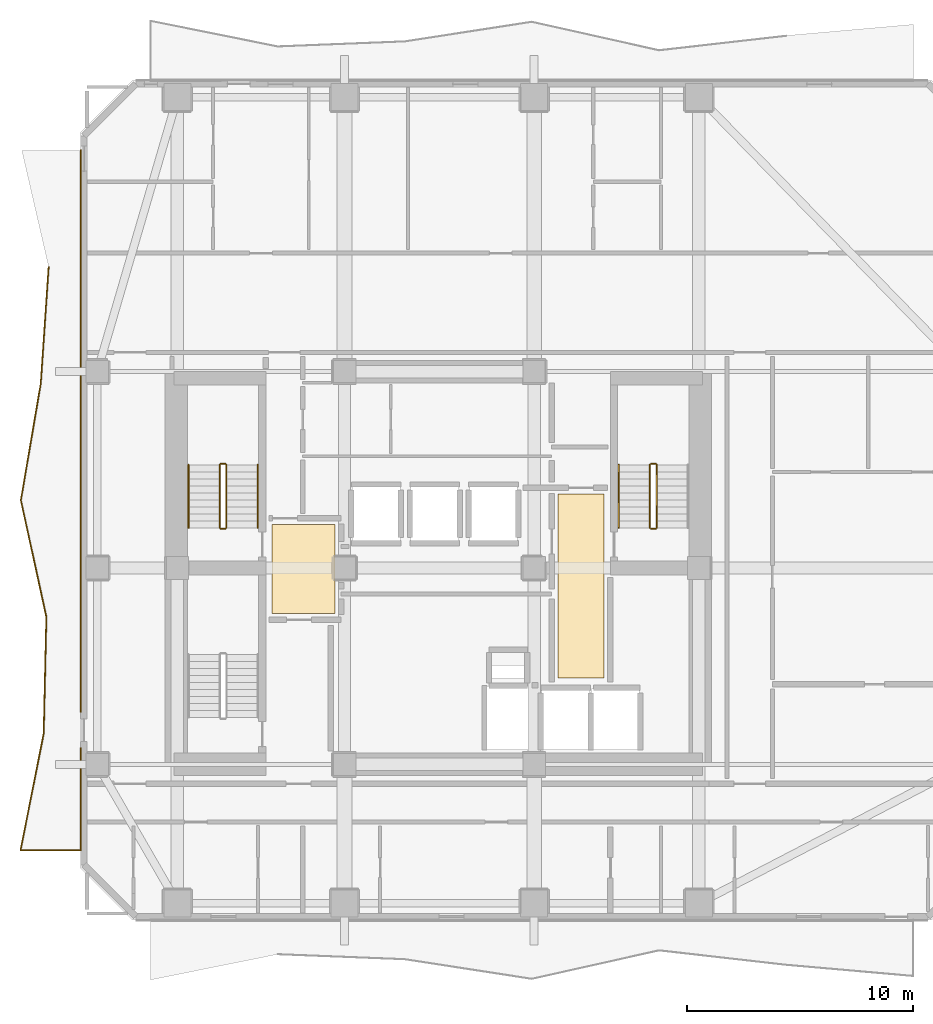
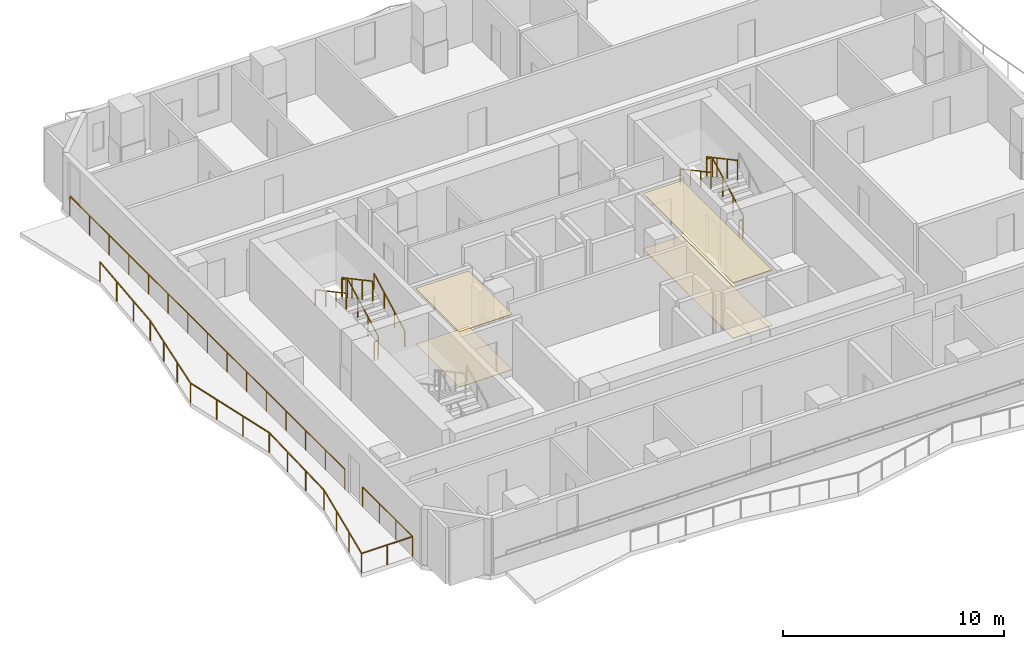
# One storey, part 8 of 9: 13 railings, 4 coverings.
"""IFC4 building model written with IfcOpenShell, lengths in metres."""

from ifc_helpers import new_model, si_unit, direction, frame, origin, origin_2d, place, context, subcontext, project, spatial, polyline, rectangle, outline, extrude, material, layer, layer_set, type_object, element, save


model = new_model("IFC4")

# Units and contexts
model_context = context("Model", 3, precision=1e-05, world=origin(), true_north=direction((0.0, 1.0)))
body_context = subcontext(model_context, "Body", "Model", "MODEL_VIEW")
ifc_project = project(units=[si_unit("LENGTHUNIT", "METRE"), si_unit("AREAUNIT", "SQUARE_METRE"), si_unit("VOLUMEUNIT", "CUBIC_METRE"), si_unit("PLANEANGLEUNIT", "RADIAN"), si_unit("MASSUNIT", "GRAM", prefix="KILO")], contexts=[model_context])

# Site, building, storey
site_placement = place(None, origin())
site = spatial("IfcSite", under=ifc_project, at=site_placement, CompositionType="ELEMENT")
building_placement = place(site_placement, origin())
building = spatial("IfcBuilding", under=site, at=building_placement, Name="Solanera Arch Residences", CompositionType="ELEMENT")
storey_placement = place(building_placement, frame((0.0, 0.0, 155.8798828125)))
storey = spatial("IfcBuildingStorey", under=building, at=storey_placement, Name="L45", CompositionType="ELEMENT", Elevation=155.8798828125)

# Railings
ifc_material_1 = material(Name="Steel S355 (ASTM A992 / A572 Grade 50)", Category="steel")
railing_type_1 = type_object("IfcRailingType", Name="Balustrade Railing BL-1100", PredefinedType="BALUSTRADE", material=ifc_material_1)
railing_1_placement = place(storey_placement, frame((7.694091796875, 44.032958984375, 0.0)))
element("IfcRailing", 1, at=railing_1_placement, inside=storey, type_object=railing_type_1, Name="L45 W Balcony Balustrade 1", PredefinedType="BALUSTRADE", context=body_context, shape_type="SweptSolid", body=[
    extrude(rectangle(XDim=0.048095703125, YDim=0.048095703125, at=origin_2d()), frame((0.0, 0.0, 1.09619140625), z_axis=(-0.067614288368, -0.997711535469, 0.0), x_axis=(0.997711535469, -0.067614288368, 0.0)), (0.0, 0.0, 1.0), 5.177978515625),
    extrude(rectangle(XDim=0.048095703125, YDim=0.048095703125, at=origin_2d()), frame((-0.35009765625, -5.166015625, 1.09619140625), z_axis=(-0.167872546883, -0.985808707612, 0.0), x_axis=(0.985808707612, -0.167872546883, 0.0)), (0.0, 0.0, 1.0), 5.241455078125),
    extrude(rectangle(XDim=0.048095703125, YDim=0.048095703125, at=origin_2d()), frame((-1.22998046875, -10.3330078125, 1.09619140625), z_axis=(0.21327283068, -0.976992681495, 0.0), x_axis=(0.976992681495, 0.21327283068, 0.0)), (0.0, 0.0, 1.0), 5.28857421875),
    extrude(rectangle(XDim=0.048095703125, YDim=0.048095703125, at=origin_2d()), frame((-0.10205078125, -15.5, 1.09619140625), z_axis=(-0.022820142738, -0.999739586635, 0.0), x_axis=(0.999739586635, -0.022820142738, 0.0)), (0.0, 0.0, 1.0), 5.16748046875),
    extrude(rectangle(XDim=0.048095703125, YDim=0.048095703125, at=origin_2d()), frame((-0.219970703125, -20.666015625, 1.09619140625), z_axis=(-0.19443126205, -0.980916145416, 0.0), x_axis=(0.980916145416, -0.19443126205, 0.0)), (0.0, 0.0, 1.0), 5.267578125),
    extrude(rectangle(XDim=0.048095703125, YDim=0.048095703125, at=origin_2d()), frame((-1.244140625, -25.8330078125, 1.09619140625), z_axis=(1.0, 0.0, 0.0), x_axis=(0.0, 1.0, 0.0)), (0.0, 0.0, 1.0), 2.670166015625),
    extrude(rectangle(XDim=0.048095703125, YDim=0.048095703125, at=origin_2d()), frame((1.426025390625, -25.8330078125, 1.09619140625), z_axis=(0.0, 1.0, 0.0), x_axis=(-1.0, 0.0, 0.0)), (0.0, 0.0, 1.0), 4.52197265625),
    extrude(rectangle(XDim=0.0419921875, YDim=0.0419921875, at=origin_2d()), origin(), (0.0, 0.0, 1.0), 1.072021484375),
    extrude(rectangle(XDim=0.0419921875, YDim=0.0419921875, at=origin_2d()), frame((-0.11669921875, -1.721923828125, 0.0)), (0.0, 0.0, 1.0), 1.072021484375),
    extrude(rectangle(XDim=0.0419921875, YDim=0.0419921875, at=origin_2d()), frame((-0.2333984375, -3.444091796875, 0.0)), (0.0, 0.0, 1.0), 1.072021484375),
    extrude(rectangle(XDim=0.0419921875, YDim=0.0419921875, at=origin_2d()), frame((-0.35009765625, -5.166015625, 0.0)), (0.0, 0.0, 1.0), 1.072021484375),
    extrude(rectangle(XDim=0.0419921875, YDim=0.0419921875, at=origin_2d()), frame((-0.643310546875, -6.888427734375, 0.0)), (0.0, 0.0, 1.0), 1.072021484375),
    extrude(rectangle(XDim=0.0419921875, YDim=0.0419921875, at=origin_2d()), frame((-0.936767578125, -8.610595703125, 0.0)), (0.0, 0.0, 1.0), 1.072021484375),
    extrude(rectangle(XDim=0.0419921875, YDim=0.0419921875, at=origin_2d()), frame((-1.22998046875, -10.3330078125, 0.0)), (0.0, 0.0, 1.0), 1.072021484375),
    extrude(rectangle(XDim=0.0419921875, YDim=0.0419921875, at=origin_2d()), frame((-0.85400390625, -12.055419921875, 0.0)), (0.0, 0.0, 1.0), 1.072021484375),
    extrude(rectangle(XDim=0.0419921875, YDim=0.0419921875, at=origin_2d()), frame((-0.47802734375, -13.777587890625, 0.0)), (0.0, 0.0, 1.0), 1.072021484375),
    extrude(rectangle(XDim=0.0419921875, YDim=0.0419921875, at=origin_2d()), frame((-0.10205078125, -15.5, 0.0)), (0.0, 0.0, 1.0), 1.072021484375),
    extrude(rectangle(XDim=0.0419921875, YDim=0.0419921875, at=origin_2d()), frame((-0.141357421875, -17.221923828125, 0.0)), (0.0, 0.0, 1.0), 1.072021484375),
    extrude(rectangle(XDim=0.0419921875, YDim=0.0419921875, at=origin_2d()), frame((-0.1806640625, -18.944091796875, 0.0)), (0.0, 0.0, 1.0), 1.072021484375),
    extrude(rectangle(XDim=0.0419921875, YDim=0.0419921875, at=origin_2d()), frame((-0.219970703125, -20.666015625, 0.0)), (0.0, 0.0, 1.0), 1.072021484375),
    extrude(rectangle(XDim=0.0419921875, YDim=0.0419921875, at=origin_2d()), frame((-0.561279296875, -22.388427734375, 0.0)), (0.0, 0.0, 1.0), 1.072021484375),
    extrude(rectangle(XDim=0.0419921875, YDim=0.0419921875, at=origin_2d()), frame((-0.90283203125, -24.110595703125, 0.0)), (0.0, 0.0, 1.0), 1.072021484375),
    extrude(rectangle(XDim=0.0419921875, YDim=0.0419921875, at=origin_2d()), frame((-1.244140625, -25.8330078125, 0.0)), (0.0, 0.0, 1.0), 1.072021484375),
    extrude(rectangle(XDim=0.0419921875, YDim=0.0419921875, at=origin_2d()), frame((0.0908203125, -25.8330078125, 0.0)), (0.0, 0.0, 1.0), 1.072021484375),
    extrude(rectangle(XDim=0.0419921875, YDim=0.0419921875, at=origin_2d()), frame((1.426025390625, -25.8330078125, 0.0)), (0.0, 0.0, 1.0), 1.072021484375),
    extrude(rectangle(XDim=0.0419921875, YDim=0.0419921875, at=origin_2d()), frame((1.426025390625, -24.32568359375, 0.0)), (0.0, 0.0, 1.0), 1.072021484375),
    extrude(rectangle(XDim=0.0419921875, YDim=0.0419921875, at=origin_2d()), frame((1.426025390625, -22.818359375, 0.0)), (0.0, 0.0, 1.0), 1.072021484375),
    extrude(rectangle(XDim=0.0419921875, YDim=0.0419921875, at=origin_2d()), frame((1.426025390625, -21.31103515625, 0.0)), (0.0, 0.0, 1.0), 1.072021484375),
])
railing_2_placement = place(storey_placement, frame((9.1201171875, 24.322021484375, 0.0)))
element("IfcRailing", 2, at=railing_2_placement, inside=storey, type_object=railing_type_1, Name="L45 W Balcony Balustrade 2", PredefinedType="BALUSTRADE", context=body_context, shape_type="SweptSolid", body=[
    extrude(rectangle(XDim=0.048095703125, YDim=0.048095703125, at=origin_2d()), frame((0.0, 0.0, 1.09619140625), z_axis=(0.0, 1.0, 0.0), x_axis=(-1.0, 0.0, 0.0)), (0.0, 0.0, 1.0), 24.8779296875),
    extrude(rectangle(XDim=0.0419921875, YDim=0.0419921875, at=origin_2d()), origin(), (0.0, 0.0, 1.0), 1.072021484375),
    extrude(rectangle(XDim=0.0419921875, YDim=0.0419921875, at=origin_2d()), frame((0.0, 1.777099609375, 0.0)), (0.0, 0.0, 1.0), 1.072021484375),
    extrude(rectangle(XDim=0.0419921875, YDim=0.0419921875, at=origin_2d()), frame((0.0, 3.553955078125, 0.0)), (0.0, 0.0, 1.0), 1.072021484375),
    extrude(rectangle(XDim=0.0419921875, YDim=0.0419921875, at=origin_2d()), frame((0.0, 5.3310546875, 0.0)), (0.0, 0.0, 1.0), 1.072021484375),
    extrude(rectangle(XDim=0.0419921875, YDim=0.0419921875, at=origin_2d()), frame((0.0, 7.10791015625, 0.0)), (0.0, 0.0, 1.0), 1.072021484375),
    extrude(rectangle(XDim=0.0419921875, YDim=0.0419921875, at=origin_2d()), frame((0.0, 8.885009765625, 0.0)), (0.0, 0.0, 1.0), 1.072021484375),
    extrude(rectangle(XDim=0.0419921875, YDim=0.0419921875, at=origin_2d()), frame((0.0, 10.661865234375, 0.0)), (0.0, 0.0, 1.0), 1.072021484375),
    extrude(rectangle(XDim=0.0419921875, YDim=0.0419921875, at=origin_2d()), frame((0.0, 12.43896484375, 0.0)), (0.0, 0.0, 1.0), 1.072021484375),
    extrude(rectangle(XDim=0.0419921875, YDim=0.0419921875, at=origin_2d()), frame((0.0, 14.216064453125, 0.0)), (0.0, 0.0, 1.0), 1.072021484375),
    extrude(rectangle(XDim=0.0419921875, YDim=0.0419921875, at=origin_2d()), frame((0.0, 15.992919921875, 0.0)), (0.0, 0.0, 1.0), 1.072021484375),
    extrude(rectangle(XDim=0.0419921875, YDim=0.0419921875, at=origin_2d()), frame((0.0, 17.77001953125, 0.0)), (0.0, 0.0, 1.0), 1.072021484375),
    extrude(rectangle(XDim=0.0419921875, YDim=0.0419921875, at=origin_2d()), frame((0.0, 19.546875, 0.0)), (0.0, 0.0, 1.0), 1.072021484375),
    extrude(rectangle(XDim=0.0419921875, YDim=0.0419921875, at=origin_2d()), frame((0.0, 21.323974609375, 0.0)), (0.0, 0.0, 1.0), 1.072021484375),
    extrude(rectangle(XDim=0.0419921875, YDim=0.0419921875, at=origin_2d()), frame((0.0, 23.100830078125, 0.0)), (0.0, 0.0, 1.0), 1.072021484375),
    extrude(rectangle(XDim=0.0419921875, YDim=0.0419921875, at=origin_2d()), frame((0.0, 24.8779296875, 0.0)), (0.0, 0.0, 1.0), 1.072021484375),
])

# Coverings
ifc_material_2 = material(Name="Porcelain Acoustic Floor Tile", Category="ceramic")
ifc_layer_1 = layer(ifc_material_2, 0.02001953125)
ifc_layer_set_1 = layer_set([ifc_layer_1], Name="Porcelain Acoustic Floor Tile")
covering_type_1 = type_object("IfcCoveringType", Name="Porcelain Acoustic Floor Finish FLR-20", PredefinedType="FLOORING", material=ifc_layer_set_1)
covering_1_placement = place(storey_placement, origin())
element("IfcCovering", 3, at=covering_1_placement, inside=storey, type_object=covering_type_1, Name="L45-FFL-W Porcelain Floor Finish", PredefinedType="FLOORING", context=body_context, shape_type="SweptSolid", body=[
    extrude(outline(polyline([(20.375, 28.675048828125), (17.594970703125, 28.675048828125), (17.594970703125, 32.625), (20.375, 32.625), (20.375, 28.675048828125)])), origin(), (0.0, 0.0, 1.0), 0.02001953125),
])
covering_2_placement = place(storey_placement, origin())
element("IfcCovering", 4, at=covering_2_placement, inside=storey, type_object=covering_type_1, Name="L45-FFL-E Porcelain Floor Finish", PredefinedType="FLOORING", context=body_context, shape_type="SweptSolid", body=[
    extrude(outline(polyline([(32.304931640625, 25.824951171875), (30.25, 25.824951171875), (30.25, 33.97509765625), (32.304931640625, 33.97509765625), (32.304931640625, 25.824951171875)])), origin(), (0.0, 0.0, 1.0), 0.02001953125),
])

# Railings
ifc_material_3 = material(Name="Steel S355 (ASTM A992 / A572 Grade 50)", Category="steel")
railing_type_2 = type_object("IfcRailingType", Name="Stair Guardrail GR-1100", PredefinedType="GUARDRAIL", material=ifc_material_3)
railing_3_placement = place(storey_placement, frame((15.570068359375, 32.47998046875, 0.151123046875)))
element("IfcRailing", 5, at=railing_3_placement, inside=storey, type_object=railing_type_2, Name="L45 ST-T1 stair guard 1", PredefinedType="GUARDRAIL", context=body_context, shape_type="SweptSolid", body=[
    extrude(rectangle(XDim=0.048095703125, YDim=0.048095703125, at=origin_2d()), frame((0.0, 0.0, 1.076171875), z_axis=(0.0, 0.881580869306, 0.472033018838), x_axis=(-1.0, 0.0, 0.0)), (0.0, 0.0, 1.0), 3.164794921875),
    extrude(rectangle(XDim=0.0419921875, YDim=0.0419921875, at=origin_2d()), origin(), (0.0, 0.0, 1.0), 1.052001953125),
    extrude(rectangle(XDim=0.0419921875, YDim=0.0419921875, at=origin_2d()), frame((0.0, 0.929931640625, 0.498046875)), (0.0, 0.0, 1.0), 1.052001953125),
    extrude(rectangle(XDim=0.0419921875, YDim=0.0419921875, at=origin_2d()), frame((0.0, 1.860107421875, 0.995849609375)), (0.0, 0.0, 1.0), 1.052001953125),
    extrude(rectangle(XDim=0.0419921875, YDim=0.0419921875, at=origin_2d()), frame((0.0, 2.7900390625, 1.493896484375)), (0.0, 0.0, 1.0), 1.052001953125),
])
railing_4_placement = place(storey_placement, frame((15.52001953125, 35.320068359375, 1.64501953125)))
element("IfcRailing", 6, at=railing_4_placement, inside=storey, type_object=railing_type_2, Name="L45 ST-T1 stair guard 2", PredefinedType="GUARDRAIL", context=body_context, shape_type="SweptSolid", body=[
    extrude(rectangle(XDim=0.048095703125, YDim=0.048095703125, at=origin_2d()), frame((0.0, 0.0, 1.076171875), z_axis=(-1.0, 0.0, 0.0), x_axis=(0.0, -1.0, 0.0)), (0.0, 0.0, 1.0), 0.199951171875),
    extrude(rectangle(XDim=0.0419921875, YDim=0.0419921875, at=origin_2d()), origin(), (0.0, 0.0, 1.0), 1.052001953125),
    extrude(rectangle(XDim=0.0419921875, YDim=0.0419921875, at=origin_2d()), frame((-0.199951171875, 0.0, 0.0)), (0.0, 0.0, 1.0), 1.052001953125),
])
railing_5_placement = place(storey_placement, frame((15.27001953125, 35.27001953125, 1.81103515625)))
element("IfcRailing", 7, at=railing_5_placement, inside=storey, type_object=railing_type_2, Name="L45 ST-T1 stair guard 3", PredefinedType="GUARDRAIL", context=body_context, shape_type="SweptSolid", body=[
    extrude(rectangle(XDim=0.048095703125, YDim=0.048095703125, at=origin_2d()), frame((0.0, 0.0, 1.076171875), z_axis=(0.0, -0.881548766853, 0.472092969298), x_axis=(1.0, 0.0, 0.0)), (0.0, 0.0, 1.0), 3.1650390625),
    extrude(rectangle(XDim=0.0419921875, YDim=0.0419921875, at=origin_2d()), origin(), (0.0, 0.0, 1.0), 1.052001953125),
    extrude(rectangle(XDim=0.0419921875, YDim=0.0419921875, at=origin_2d()), frame((0.0, -0.929931640625, 0.498046875)), (0.0, 0.0, 1.0), 1.052001953125),
    extrude(rectangle(XDim=0.0419921875, YDim=0.0419921875, at=origin_2d()), frame((0.0, -1.860107421875, 0.99609375)), (0.0, 0.0, 1.0), 1.052001953125),
    extrude(rectangle(XDim=0.0419921875, YDim=0.0419921875, at=origin_2d()), frame((0.0, -2.7900390625, 1.494140625)), (0.0, 0.0, 1.0), 1.052001953125),
])
railing_6_placement = place(storey_placement, frame((15.52001953125, 32.429931640625, -0.014892578125)))
element("IfcRailing", 8, at=railing_6_placement, inside=storey, type_object=railing_type_2, Name="L45 ST-T1 stair guard 4", PredefinedType="GUARDRAIL", context=body_context, shape_type="SweptSolid", body=[
    extrude(rectangle(XDim=0.048095703125, YDim=0.048095703125, at=origin_2d()), frame((0.0, 0.0, 1.076171875), z_axis=(-1.0, 0.0, 0.0), x_axis=(0.0, -1.0, 0.0)), (0.0, 0.0, 1.0), 0.199951171875),
    extrude(rectangle(XDim=0.0419921875, YDim=0.0419921875, at=origin_2d()), origin(), (0.0, 0.0, 1.0), 1.052001953125),
    extrude(rectangle(XDim=0.0419921875, YDim=0.0419921875, at=origin_2d()), frame((-0.199951171875, 0.0, 0.0)), (0.0, 0.0, 1.0), 1.052001953125),
])
railing_7_placement = place(storey_placement, frame((34.6298828125, 32.47998046875, 0.151123046875)))
element("IfcRailing", 9, at=railing_7_placement, inside=storey, type_object=railing_type_2, Name="L45 ST-T2 stair guard 1", PredefinedType="GUARDRAIL", context=body_context, shape_type="SweptSolid", body=[
    extrude(rectangle(XDim=0.048095703125, YDim=0.048095703125, at=origin_2d()), frame((0.0, 0.0, 1.076171875), z_axis=(0.0, 0.881580869306, 0.472033018838), x_axis=(-1.0, 0.0, 0.0)), (0.0, 0.0, 1.0), 3.164794921875),
    extrude(rectangle(XDim=0.0419921875, YDim=0.0419921875, at=origin_2d()), origin(), (0.0, 0.0, 1.0), 1.052001953125),
    extrude(rectangle(XDim=0.0419921875, YDim=0.0419921875, at=origin_2d()), frame((0.0, 0.929931640625, 0.498046875)), (0.0, 0.0, 1.0), 1.052001953125),
    extrude(rectangle(XDim=0.0419921875, YDim=0.0419921875, at=origin_2d()), frame((0.0, 1.860107421875, 0.995849609375)), (0.0, 0.0, 1.0), 1.052001953125),
    extrude(rectangle(XDim=0.0419921875, YDim=0.0419921875, at=origin_2d()), frame((0.0, 2.7900390625, 1.493896484375)), (0.0, 0.0, 1.0), 1.052001953125),
])
railing_8_placement = place(storey_placement, frame((34.580078125, 35.320068359375, 1.64501953125)))
element("IfcRailing", 10, at=railing_8_placement, inside=storey, type_object=railing_type_2, Name="L45 ST-T2 stair guard 2", PredefinedType="GUARDRAIL", context=body_context, shape_type="SweptSolid", body=[
    extrude(rectangle(XDim=0.048095703125, YDim=0.048095703125, at=origin_2d()), frame((0.0, 0.0, 1.076171875), z_axis=(-1.0, 0.0, 0.0), x_axis=(0.0, -1.0, 0.0)), (0.0, 0.0, 1.0), 0.2001953125),
    extrude(rectangle(XDim=0.0419921875, YDim=0.0419921875, at=origin_2d()), origin(), (0.0, 0.0, 1.0), 1.052001953125),
    extrude(rectangle(XDim=0.0419921875, YDim=0.0419921875, at=origin_2d()), frame((-0.2001953125, 0.0, 0.0)), (0.0, 0.0, 1.0), 1.052001953125),
])
railing_9_placement = place(storey_placement, frame((34.330078125, 35.27001953125, 1.81103515625)))
element("IfcRailing", 11, at=railing_9_placement, inside=storey, type_object=railing_type_2, Name="L45 ST-T2 stair guard 3", PredefinedType="GUARDRAIL", context=body_context, shape_type="SweptSolid", body=[
    extrude(rectangle(XDim=0.048095703125, YDim=0.048095703125, at=origin_2d()), frame((0.0, 0.0, 1.076171875), z_axis=(0.0, -0.881548766853, 0.472092969298), x_axis=(1.0, 0.0, 0.0)), (0.0, 0.0, 1.0), 3.1650390625),
    extrude(rectangle(XDim=0.0419921875, YDim=0.0419921875, at=origin_2d()), origin(), (0.0, 0.0, 1.0), 1.052001953125),
    extrude(rectangle(XDim=0.0419921875, YDim=0.0419921875, at=origin_2d()), frame((0.0, -0.929931640625, 0.498046875)), (0.0, 0.0, 1.0), 1.052001953125),
    extrude(rectangle(XDim=0.0419921875, YDim=0.0419921875, at=origin_2d()), frame((0.0, -1.860107421875, 0.99609375)), (0.0, 0.0, 1.0), 1.052001953125),
    extrude(rectangle(XDim=0.0419921875, YDim=0.0419921875, at=origin_2d()), frame((0.0, -2.7900390625, 1.494140625)), (0.0, 0.0, 1.0), 1.052001953125),
])
railing_10_placement = place(storey_placement, frame((34.580078125, 32.429931640625, -0.014892578125)))
element("IfcRailing", 12, at=railing_10_placement, inside=storey, type_object=railing_type_2, Name="L45 ST-T2 stair guard 4", PredefinedType="GUARDRAIL", context=body_context, shape_type="SweptSolid", body=[
    extrude(rectangle(XDim=0.048095703125, YDim=0.048095703125, at=origin_2d()), frame((0.0, 0.0, 1.076171875), z_axis=(-1.0, 0.0, 0.0), x_axis=(0.0, -1.0, 0.0)), (0.0, 0.0, 1.0), 0.2001953125),
    extrude(rectangle(XDim=0.0419921875, YDim=0.0419921875, at=origin_2d()), origin(), (0.0, 0.0, 1.0), 1.052001953125),
    extrude(rectangle(XDim=0.0419921875, YDim=0.0419921875, at=origin_2d()), frame((-0.2001953125, 0.0, 0.0)), (0.0, 0.0, 1.0), 1.052001953125),
])
ifc_material_4 = material(Name="Steel S355 (ASTM A992 / A572 Grade 50)", Category="steel")
railing_type_3 = type_object("IfcRailingType", Name="Stair Wall Handrail HR-920", PredefinedType="HANDRAIL", material=ifc_material_4)
railing_11_placement = place(storey_placement, frame((16.949951171875, 32.47998046875, 0.166015625)))
element("IfcRailing", 13, at=railing_11_placement, inside=storey, type_object=railing_type_3, Name="L45 ST-T1 stair handrail 1", PredefinedType="HANDRAIL", context=body_context, shape_type="SweptSolid", body=[
    extrude(rectangle(XDim=0.048095703125, YDim=0.048095703125, at=origin_2d()), frame((0.0, 0.0, 0.8759765625), z_axis=(0.0, 0.881548766853, 0.472092969298), x_axis=(-1.0, 0.0, 0.0)), (0.0, 0.0, 1.0), 3.1650390625),
    extrude(rectangle(XDim=0.0419921875, YDim=0.0419921875, at=origin_2d()), origin(), (0.0, 0.0, 1.0), 0.851806640625),
    extrude(rectangle(XDim=0.0419921875, YDim=0.0419921875, at=origin_2d()), frame((0.0, 0.929931640625, 0.498046875)), (0.0, 0.0, 1.0), 0.851806640625),
    extrude(rectangle(XDim=0.0419921875, YDim=0.0419921875, at=origin_2d()), frame((0.0, 1.860107421875, 0.99609375)), (0.0, 0.0, 1.0), 0.851806640625),
    extrude(rectangle(XDim=0.0419921875, YDim=0.0419921875, at=origin_2d()), frame((0.0, 2.7900390625, 1.494140625)), (0.0, 0.0, 1.0), 0.851806640625),
])
for number, where, name in (
    (14, (13.889892578125, 35.27001953125, 1.826171875), "L45 ST-T1 stair handrail 2"),
    (15, (32.949951171875, 35.27001953125, 1.826171875), "L45 ST-T2 stair handrail 2"),
):
    element("IfcRailing", number, at=place(storey_placement, frame(where)), inside=storey, type_object=railing_type_3, Name=name, PredefinedType="HANDRAIL", context=body_context, shape_type="SweptSolid", body=[
        extrude(rectangle(XDim=0.048095703125, YDim=0.048095703125, at=origin_2d()), frame((0.0, 0.0, 0.8759765625), z_axis=(0.0, -0.881580869306, 0.472033018838), x_axis=(1.0, 0.0, 0.0)), (0.0, 0.0, 1.0), 3.164794921875),
        extrude(rectangle(XDim=0.0419921875, YDim=0.0419921875, at=origin_2d()), origin(), (0.0, 0.0, 1.0), 0.851806640625),
        extrude(rectangle(XDim=0.0419921875, YDim=0.0419921875, at=origin_2d()), frame((0.0, -0.929931640625, 0.498046875)), (0.0, 0.0, 1.0), 0.851806640625),
        extrude(rectangle(XDim=0.0419921875, YDim=0.0419921875, at=origin_2d()), frame((0.0, -1.860107421875, 0.995849609375)), (0.0, 0.0, 1.0), 0.851806640625),
        extrude(rectangle(XDim=0.0419921875, YDim=0.0419921875, at=origin_2d()), frame((0.0, -2.7900390625, 1.493896484375)), (0.0, 0.0, 1.0), 0.851806640625),
    ])

# Coverings
ifc_material_5 = material(Name="Mineral Fibre Acoustic Ceiling Board", Category="gypsum")
ifc_layer_2 = layer(ifc_material_5, 0.02490234375)
ifc_layer_set_2 = layer_set([ifc_layer_2], Name="Mineral Fibre Acoustic Ceiling Board")
covering_type_2 = type_object("IfcCoveringType", Name="Suspended Acoustic Ceiling Board CLG-25", PredefinedType="CEILING", material=ifc_layer_set_2)
covering_3_placement = place(storey_placement, frame((0.0, 0.0, 3.05517578125)))
element("IfcCovering", 16, at=covering_3_placement, inside=storey, type_object=covering_type_2, Name="L45-FFL-W Acoustic Ceiling", PredefinedType="CEILING", context=body_context, shape_type="SweptSolid", body=[
    extrude(outline(polyline([(20.375, 28.675048828125), (17.594970703125, 28.675048828125), (17.594970703125, 32.625), (20.375, 32.625), (20.375, 28.675048828125)])), origin(), (0.0, 0.0, 1.0), 0.02490234375),
])
covering_4_placement = place(storey_placement, frame((0.0, 0.0, 3.05517578125)))
element("IfcCovering", 17, at=covering_4_placement, inside=storey, type_object=covering_type_2, Name="L45-FFL-E Acoustic Ceiling", PredefinedType="CEILING", context=body_context, shape_type="SweptSolid", body=[
    extrude(outline(polyline([(32.304931640625, 25.824951171875), (30.25, 25.824951171875), (30.25, 33.97509765625), (32.304931640625, 33.97509765625), (32.304931640625, 25.824951171875)])), origin(), (0.0, 0.0, 1.0), 0.02490234375),
])

save(model, "model.ifc")
